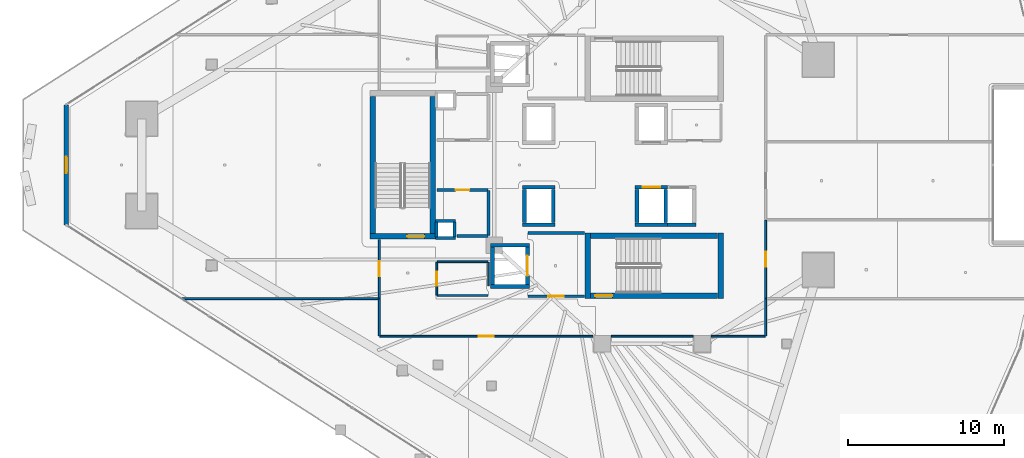
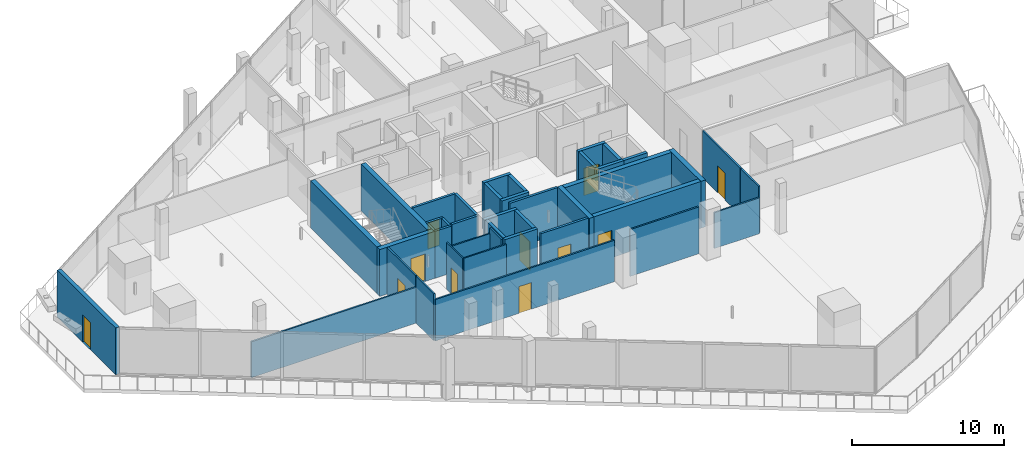
# One storey, part 27 of 42: 42 walls, 11 doors, 11 openings.
"""IFC4 building model written with IfcOpenShell, lengths in metres."""

from ifc_helpers import new_model, si_unit, direction, frame, frame_2d, origin, place, context, subcontext, project, spatial, rectangle, extrude, material, layer, layer_set, type_object, element, fill, save


model = new_model("IFC4")

# Units and contexts
model_context = context("Model", 3, precision=1e-05, world=origin(), true_north=direction((0.0, 1.0)))
body_context = subcontext(model_context, "Body", "Model", "MODEL_VIEW")
ifc_project = project(units=[si_unit("LENGTHUNIT", "METRE"), si_unit("AREAUNIT", "SQUARE_METRE"), si_unit("VOLUMEUNIT", "CUBIC_METRE"), si_unit("PLANEANGLEUNIT", "RADIAN"), si_unit("MASSUNIT", "GRAM", prefix="KILO")], contexts=[model_context])

# Site, building, storey
site_placement = place(None, origin())
site = spatial("IfcSite", under=ifc_project, at=site_placement, CompositionType="ELEMENT")
building_placement = place(site_placement, origin())
building = spatial("IfcBuilding", under=site, at=building_placement, Name="Qorvath Tower", CompositionType="ELEMENT")
storey_placement = place(building_placement, frame((0.0, 0.0, 121.949951171875)))
storey = spatial("IfcBuildingStorey", under=building, at=storey_placement, Name="L27", CompositionType="ELEMENT", Elevation=121.949951171875)

# Walls
ifc_material_1 = material(Name="Gypsum shaftliner on steel studs", Category="steel")
ifc_layer_1 = layer(ifc_material_1, 0.179931640625)
ifc_layer_set_1 = layer_set([ifc_layer_1], Name="FW-LOBBY")
wall_type_1 = type_object("IfcWallType", Name="FW-LOBBY", PredefinedType="PARTITIONING", material=ifc_layer_set_1)
for number, where, z_axis, x_axis, name in (
    (1, (-32.989990234375, -4.675048828125, 0.0), (0.0, 0.0, 1.0), (-1.0, 0.0, 0.0), "MEP Riser Shaft Enclosure Wall S-L27-S"),
    (2, (-34.260009765625, -3.594970703125, 0.0), (0.0, 0.0, 1.0), (1.0, 0.0, 0.0), "MEP Riser Shaft Enclosure Wall S-L27-N"),
):
    element("IfcWall", number, at=place(storey_placement, frame(where, z_axis=z_axis, x_axis=x_axis)), inside=storey, type_object=wall_type_1, Name=name, PredefinedType="PARTITIONING", context=body_context, shape_type="SweptSolid", body=[
        extrude(rectangle(XDim=1.27001953125, YDim=0.179931640625, at=frame_2d((0.635009765625, 0.0))), origin(), (0.0, 0.0, 1.0), 3.77001953125),
    ])
for number, where, z_axis, x_axis, name in (
    (3, (-34.205078125, -4.610107421875, 0.0), (0.0, 0.0, 1.0), (0.0, 1.0, 0.0), "MEP Riser Shaft Enclosure Wall S-L27-W"),
    (4, (-33.044921875, -3.659912109375, 0.0), (0.0, 0.0, 1.0), (0.0, -1.0, 0.0), "MEP Riser Shaft Enclosure Wall S-L27-E"),
):
    element("IfcWall", number, at=place(storey_placement, frame(where, z_axis=z_axis, x_axis=x_axis)), inside=storey, type_object=wall_type_1, Name=name, PredefinedType="PARTITIONING", context=body_context, shape_type="SweptSolid", body=[
        extrude(rectangle(XDim=0.9501953125, YDim=0.179931640625, at=frame_2d((0.47509765625, 0.0))), origin(), (0.0, 0.0, 1.0), 3.77001953125),
    ])

# Wall, opening, door
wall_1_placement = place(storey_placement, frame((-28.35498046875, -8.39990234375, 0.0), z_axis=(0.0, 0.0, 1.0), x_axis=(1.0, 0.0, 0.0)))
wall_1 = element("IfcWall", 5, at=wall_1_placement, inside=storey, type_object=wall_type_1, Name="Interior Partition IW-T1-L27-003", PredefinedType="PARTITIONING", context=body_context, shape_type="SweptSolid", body=[
    extrude(rectangle(XDim=3.6220703125, YDim=0.179931640625, at=frame_2d((1.81103515625, 0.0))), origin(), (0.0, 0.0, 1.0), 3.77001953125),
])
opening_1_placement = place(wall_1_placement, frame((1.31103515625, 0.0, 0.0)))
opening_1 = element("IfcOpeningElement", 6, at=opening_1_placement, cuts=wall_1, Name="Opening D-T1-L27-17", PredefinedType="OPENING", context=body_context, shape_type="SweptSolid", body=[
    extrude(rectangle(XDim=1.0, YDim=2.14990234375, at=frame_2d((0.5, 1.074951171875))), frame((0.0, 0.10009765625, 0.0), z_axis=(0.0, -1.0, 0.0), x_axis=(1.0, 0.0, 0.0)), (0.0, 0.0, 1.0), 0.199951171875),
])
ifc_material_2 = material(Name="Painted galvanised hollow metal", Category="steel")
door_type_1 = type_object("IfcDoorType", Name="FD-60", OperationType="NOTDEFINED", PredefinedType="DOOR", material=ifc_material_2)
door_1_placement = place(opening_1_placement, origin())
door_1 = element("IfcDoor", 7, at=door_1_placement, inside=storey, type_object=door_type_1, Name="Lobby Fire Service Elevator South Door D-T1-L27-17", OperationType="SINGLE_SWING_RIGHT", OverallHeight=2.14990234375, OverallWidth=1.0, PredefinedType="DOOR", context=body_context, shape_type="SweptSolid", body=[
    extrude(rectangle(XDim=1.0, YDim=2.14990234375, at=frame_2d((0.5, 1.074951171875))), frame((0.0, 0.02490234375, 0.0), z_axis=(0.0, -1.0, 0.0), x_axis=(1.0, 0.0, 0.0)), (0.0, 0.0, 1.0), 0.050048828125),
])
fill(opening_1, door_1)

# Walls
wall_2_placement = place(storey_placement, frame((-24.73291015625, -4.35009765625, 0.0), z_axis=(0.0, 0.0, 1.0), x_axis=(-1.0, 0.0, 0.0)))
element("IfcWall", 8, at=wall_2_placement, inside=storey, type_object=wall_type_1, Name="Interior Partition IW-T1-L27-004", PredefinedType="PARTITIONING", context=body_context, shape_type="SweptSolid", body=[
    extrude(rectangle(XDim=3.6220703125, YDim=0.179931640625, at=frame_2d((1.81103515625, 0.0))), origin(), (0.0, 0.0, 1.0), 3.77001953125),
])
wall_3_placement = place(storey_placement, frame((-32.8798828125, -4.5400390625, 0.0), z_axis=(0.0, 0.0, 1.0), x_axis=(1.0, 0.0, 0.0)))
element("IfcWall", 9, at=wall_3_placement, inside=storey, type_object=wall_type_1, Name="Interior Partition IW-T1-L27-018", PredefinedType="PARTITIONING", context=body_context, shape_type="SweptSolid", body=[
    extrude(rectangle(XDim=1.97509765625, YDim=0.179931640625, at=frame_2d((0.987548828125, 0.0))), origin(), (0.0, 0.0, 1.0), 3.77001953125),
])
wall_4_placement = place(storey_placement, frame((-30.8798828125, -4.514892578125, 0.0), z_axis=(0.0, 0.0, 1.0), x_axis=(0.0, 1.0, 0.0)))
element("IfcWall", 10, at=wall_4_placement, inside=storey, type_object=wall_type_1, Name="Interior Partition IW-T1-L27-019", PredefinedType="PARTITIONING", context=body_context, shape_type="SweptSolid", body=[
    extrude(rectangle(XDim=2.889892578125, YDim=0.179931640625, at=frame_2d((1.44482421875, 0.0))), origin(), (0.0, 0.0, 1.0), 3.77001953125),
])

# Wall, opening, door
wall_5_placement = place(storey_placement, frame((-30.90478515625, -1.60009765625, 0.0), z_axis=(0.0, 0.0, 1.0), x_axis=(-1.0, 0.0, 0.0)))
wall_5 = element("IfcWall", 11, at=wall_5_placement, inside=storey, type_object=wall_type_1, Name="Interior Partition IW-T1-L27-020", PredefinedType="PARTITIONING", context=body_context, shape_type="SweptSolid", body=[
    extrude(rectangle(XDim=3.25, YDim=0.179931640625, at=frame_2d((1.625, 0.0))), origin(), (0.0, 0.0, 1.0), 3.77001953125),
])
opening_2_placement = place(wall_5_placement, frame((1.18505859375, 0.0, 0.0)))
opening_2 = element("IfcOpeningElement", 12, at=opening_2_placement, cuts=wall_5, Name="Opening D-T1-L27-05", PredefinedType="OPENING", context=body_context, shape_type="SweptSolid", body=[
    extrude(rectangle(XDim=0.8798828125, YDim=2.10009765625, at=frame_2d((0.43994140625, 1.050048828125))), frame((0.0, 0.10009765625, 0.0), z_axis=(0.0, -1.0, 0.0), x_axis=(1.0, 0.0, 0.0)), (0.0, 0.0, 1.0), 0.199951171875),
])
ifc_material_3 = material(Name="Painted galvanised hollow metal", Category="steel")
door_type_2 = type_object("IfcDoorType", Name="FD-60N", OperationType="NOTDEFINED", PredefinedType="DOOR", material=ifc_material_3)
door_2_placement = place(opening_2_placement, origin())
door_2 = element("IfcDoor", 13, at=door_2_placement, inside=storey, type_object=door_type_2, Name="Core housekeeping store L27 Door D-T1-L27-05", OperationType="SINGLE_SWING_RIGHT", OverallHeight=2.10009765625, OverallWidth=0.8798828125, PredefinedType="DOOR", context=body_context, shape_type="SweptSolid", body=[
    extrude(rectangle(XDim=0.8798828125, YDim=2.10009765625, at=frame_2d((0.43994140625, 1.050048828125))), frame((0.0, 0.02490234375, 0.0), z_axis=(0.0, -1.0, 0.0), x_axis=(1.0, 0.0, 0.0)), (0.0, 0.0, 1.0), 0.050048828125),
])
fill(opening_2, door_2)

# Walls
ifc_material_4 = material(Name="Gypsum board on metal studs with mineral wool", Category="gypsum")
ifc_layer_2 = layer(ifc_material_4, 0.125)
ifc_layer_set_2 = layer_set([ifc_layer_2], Name="IW-PART-125")
wall_type_2 = type_object("IfcWallType", Name="IW-PART-125", PredefinedType="PARTITIONING", material=ifc_layer_set_2)
wall_6_placement = place(storey_placement, frame((-13.14208984375, -10.93310546875, 0.0), z_axis=(0.0, 0.0, 1.0), x_axis=(0.0, 1.0, 0.0)))
element("IfcWall", 14, at=wall_6_placement, inside=storey, type_object=wall_type_2, Name="Interior Partition IW-T1-L27-037", PredefinedType="PARTITIONING", context=body_context, shape_type="SweptSolid", body=[
    extrude(rectangle(XDim=2.358154296875, YDim=0.125, at=frame_2d((1.17919921875, 0.0))), origin(), (0.0, 0.0, 1.0), 3.77001953125),
])
wall_7_placement = place(storey_placement, frame((-13.1669921875, -10.9580078125, 0.0), z_axis=(0.0, 0.0, 1.0), x_axis=(-1.0, 0.0, 0.0)))
element("IfcWall", 15, at=wall_7_placement, inside=storey, type_object=wall_type_2, Name="Interior Partition IW-T1-L27-038", PredefinedType="PARTITIONING", context=body_context, shape_type="SweptSolid", body=[
    extrude(rectangle(XDim=3.443115234375, YDim=0.125, at=frame_2d((1.7216796875, 0.0))), origin(), (0.0, 0.0, 1.0), 2.885009765625),
])
wall_8_placement = place(storey_placement, frame((-17.7900390625, -10.9580078125, 0.0), z_axis=(0.0, 0.0, 1.0), x_axis=(-1.0, 0.0, 0.0)))
element("IfcWall", 16, at=wall_8_placement, inside=storey, type_object=wall_type_2, Name="Interior Partition IW-T1-L27-039", PredefinedType="PARTITIONING", context=body_context, shape_type="SweptSolid", body=[
    extrude(rectangle(XDim=5.219970703125, YDim=0.125, at=frame_2d((2.60986328125, 0.0))), origin(), (0.0, 0.0, 1.0), 3.77001953125),
])

# Wall, opening, door
wall_9_placement = place(storey_placement, frame((-24.18994140625, -10.9580078125, 0.0), z_axis=(0.0, 0.0, 1.0), x_axis=(-1.0, 0.0, 0.0)))
wall_9 = element("IfcWall", 17, at=wall_9_placement, inside=storey, type_object=wall_type_2, Name="Interior Partition IW-T1-L27-040", PredefinedType="PARTITIONING", context=body_context, shape_type="SweptSolid", body=[
    extrude(rectangle(XDim=13.64306640625, YDim=0.125, at=frame_2d((6.821533203125, 0.0))), origin(), (0.0, 0.0, 1.0), 3.334228515625),
])
opening_3_placement = place(wall_9_placement, frame((6.346435546875, 0.0, 0.0)))
opening_3 = element("IfcOpeningElement", 18, at=opening_3_placement, cuts=wall_9, Name="Opening D-T1-L27-11", PredefinedType="OPENING", context=body_context, shape_type="SweptSolid", body=[
    extrude(rectangle(XDim=0.949951171875, YDim=2.14990234375, at=frame_2d((0.47509765625, 1.074951171875))), frame((0.0, 0.072509765625, 0.0), z_axis=(0.0, -1.0, 0.0), x_axis=(1.0, 0.0, 0.0)), (0.0, 0.0, 1.0), 0.14501953125),
])
ifc_material_5 = material(Name="Solid-core American white oak veneer", Category="wood")
door_type_3 = type_object("IfcDoorType", Name="D-01", OperationType="NOTDEFINED", PredefinedType="DOOR", material=ifc_material_5)
door_3_placement = place(opening_3_placement, origin())
door_3 = element("IfcDoor", 19, at=door_3_placement, inside=storey, type_object=door_type_3, Name="L27-06 Design Pin-Up Atelier Door D-T1-L27-11", OperationType="SINGLE_SWING_RIGHT", OverallHeight=2.14990234375, OverallWidth=0.949951171875, PredefinedType="DOOR", context=body_context, shape_type="SweptSolid", body=[
    extrude(rectangle(XDim=0.949951171875, YDim=2.14990234375, at=frame_2d((0.47509765625, 1.074951171875))), frame((0.0, 0.02490234375, 0.0), z_axis=(0.0, -1.0, 0.0), x_axis=(1.0, 0.0, 0.0)), (0.0, 0.0, 1.0), 0.050048828125),
])
fill(opening_3, door_3)

# Walls
wall_10_placement = place(storey_placement, frame((-37.85791015625, -8.574951171875, 0.0), z_axis=(0.0, 0.0, 1.0), x_axis=(0.0, -1.0, 0.0)))
element("IfcWall", 20, at=wall_10_placement, inside=storey, type_object=wall_type_2, Name="Interior Partition IW-T1-L27-041", PredefinedType="PARTITIONING", context=body_context, shape_type="SweptSolid", body=[
    extrude(rectangle(XDim=2.358154296875, YDim=0.125, at=frame_2d((1.17919921875, 0.0))), origin(), (0.0, 0.0, 1.0), 3.77001953125),
])
wall_11_placement = place(storey_placement, frame((-37.8828125, -8.550048828125, 0.0), z_axis=(0.0, 0.0, 1.0), x_axis=(-1.0, 0.0, 0.0)))
element("IfcWall", 21, at=wall_11_placement, inside=storey, type_object=wall_type_2, Name="Interior Partition IW-T1-L27-042", PredefinedType="PARTITIONING", context=body_context, shape_type="SweptSolid", body=[
    extrude(rectangle(XDim=12.570556640625, YDim=0.125, at=frame_2d((6.28515625, 0.0))), origin(), (0.0, 0.0, 1.0), 2.889892578125),
])

# Wall, opening, door
wall_12_placement = place(storey_placement, frame((-13.14208984375, -3.53564453125, 0.0), z_axis=(0.0, 0.0, 1.0), x_axis=(0.0, -1.0, 0.0)))
wall_12 = element("IfcWall", 22, at=wall_12_placement, inside=storey, type_object=wall_type_2, Name="Interior Partition IW-T1-L27-044", PredefinedType="PARTITIONING", context=body_context, shape_type="SweptSolid", body=[
    extrude(rectangle(XDim=4.9814453125, YDim=0.125, at=frame_2d((2.49072265625, 0.0))), origin(), (0.0, 0.0, 1.0), 3.77001953125),
])
opening_4_placement = place(wall_12_placement, frame((2.015869140625, 0.0, 0.0)))
opening_4 = element("IfcOpeningElement", 23, at=opening_4_placement, cuts=wall_12, Name="Opening D-T1-L27-12", PredefinedType="OPENING", context=body_context, shape_type="SweptSolid", body=[
    extrude(rectangle(XDim=0.949951171875, YDim=2.14990234375, at=frame_2d((0.47509765625, 1.074951171875))), frame((0.0, 0.072509765625, 0.0), z_axis=(0.0, -1.0, 0.0), x_axis=(1.0, 0.0, 0.0)), (0.0, 0.0, 1.0), 0.14501953125),
])
door_4_placement = place(opening_4_placement, origin())
door_4 = element("IfcDoor", 24, at=door_4_placement, inside=storey, type_object=door_type_3, Name="L27-07 Executive Partner Office Door D-T1-L27-12", OperationType="SINGLE_SWING_LEFT", OverallHeight=2.14990234375, OverallWidth=0.949951171875, PredefinedType="DOOR", context=body_context, shape_type="SweptSolid", body=[
    extrude(rectangle(XDim=0.949951171875, YDim=2.14990234375, at=frame_2d((0.47509765625, 1.074951171875))), frame((0.0, 0.02490234375, 0.0), z_axis=(0.0, -1.0, 0.0), x_axis=(1.0, 0.0, 0.0)), (0.0, 0.0, 1.0), 0.050048828125),
])
fill(opening_4, door_4)

wall_13_placement = place(storey_placement, frame((-37.85791015625, -8.51708984375, 0.0), z_axis=(0.0, 0.0, 1.0), x_axis=(0.0, 1.0, 0.0)))
wall_13 = element("IfcWall", 25, at=wall_13_placement, inside=storey, type_object=wall_type_2, Name="Interior Partition IW-T1-L27-049", PredefinedType="PARTITIONING", context=body_context, shape_type="SweptSolid", body=[
    extrude(rectangle(XDim=3.73388671875, YDim=0.125, at=frame_2d((1.866943359375, 0.0))), origin(), (0.0, 0.0, 1.0), 3.77001953125),
])
opening_5_placement = place(wall_13_placement, frame((1.391845703125, 0.0, 0.0)))
opening_5 = element("IfcOpeningElement", 26, at=opening_5_placement, cuts=wall_13, Name="Opening D-T1-L27-15", PredefinedType="OPENING", context=body_context, shape_type="SweptSolid", body=[
    extrude(rectangle(XDim=0.949951171875, YDim=2.14990234375, at=frame_2d((0.47509765625, 1.074951171875))), frame((0.0, 0.072509765625, 0.0), z_axis=(0.0, -1.0, 0.0), x_axis=(1.0, 0.0, 0.0)), (0.0, 0.0, 1.0), 0.14501953125),
])
door_5_placement = place(opening_5_placement, origin())
door_5 = element("IfcDoor", 27, at=door_5_placement, inside=storey, type_object=door_type_3, Name="L27-10 Quantitative Research Studio Door D-T1-L27-15", OperationType="SINGLE_SWING_RIGHT", OverallHeight=2.14990234375, OverallWidth=0.949951171875, PredefinedType="DOOR", context=body_context, shape_type="SweptSolid", body=[
    extrude(rectangle(XDim=0.949951171875, YDim=2.14990234375, at=frame_2d((0.47509765625, 1.074951171875))), frame((0.0, 0.02490234375, 0.0), z_axis=(0.0, -1.0, 0.0), x_axis=(1.0, 0.0, 0.0)), (0.0, 0.0, 1.0), 0.050048828125),
])
fill(opening_5, door_5)

ifc_material_6 = material(Name="Moisture-resistant cement board on metal studs", Category="gypsum")
ifc_layer_3 = layer(ifc_material_6, 0.110107421875)
ifc_layer_set_3 = layer_set([ifc_layer_3], Name="IW-WC-110")
wall_type_3 = type_object("IfcWallType", Name="IW-WC-110", PredefinedType="PARTITIONING", material=ifc_layer_set_3)
wall_14_placement = place(storey_placement, frame((-34.179931640625, -6.22509765625, 0.0), z_axis=(0.0, 0.0, 1.0), x_axis=(0.0, -1.0, 0.0)))
wall_14 = element("IfcWall", 28, at=wall_14_placement, inside=storey, type_object=wall_type_3, Name="Interior Partition IW-T1-L27-009", PredefinedType="PARTITIONING", context=body_context, shape_type="SweptSolid", body=[
    extrude(rectangle(XDim=2.10009765625, YDim=0.110107421875, at=frame_2d((1.050048828125, 0.0))), origin(), (0.0, 0.0, 1.0), 3.77001953125),
])
opening_6_placement = place(wall_14_placement, frame((0.610107421875, 0.0, 0.0)))
opening_6 = element("IfcOpeningElement", 29, at=opening_6_placement, cuts=wall_14, Name="Opening D-T1-L27-02", PredefinedType="OPENING", context=body_context, shape_type="SweptSolid", body=[
    extrude(rectangle(XDim=0.8798828125, YDim=2.10009765625, at=frame_2d((0.43994140625, 1.050048828125))), frame((0.0, 0.06494140625, 0.0), z_axis=(0.0, -1.0, 0.0), x_axis=(1.0, 0.0, 0.0)), (0.0, 0.0, 1.0), 0.130126953125),
])
ifc_material_7 = material(Name="Solid-core oak with acoustic drop seal", Category="wood")
door_type_4 = type_object("IfcDoorType", Name="D-02", OperationType="NOTDEFINED", PredefinedType="DOOR", material=ifc_material_7)
door_6_placement = place(opening_6_placement, origin())
door_6 = element("IfcDoor", 30, at=door_6_placement, inside=storey, type_object=door_type_4, Name="Accessible WC South L27 Door D-T1-L27-02", OperationType="SINGLE_SWING_LEFT", OverallHeight=2.10009765625, OverallWidth=0.8798828125, PredefinedType="DOOR", context=body_context, shape_type="SweptSolid", body=[
    extrude(rectangle(XDim=0.8798828125, YDim=2.10009765625, at=frame_2d((0.43994140625, 1.050048828125))), frame((0.0, 0.02490234375, 0.0), z_axis=(0.0, -1.0, 0.0), x_axis=(1.0, 0.0, 0.0)), (0.0, 0.0, 1.0), 0.050048828125),
])
fill(opening_6, door_6)

# Walls
wall_15_placement = place(storey_placement, frame((-34.15478515625, -8.35009765625, 0.0), z_axis=(0.0, 0.0, 1.0), x_axis=(1.0, 0.0, 0.0)))
element("IfcWall", 31, at=wall_15_placement, inside=storey, type_object=wall_type_3, Name="Interior Partition IW-T1-L27-010", PredefinedType="PARTITIONING", context=body_context, shape_type="SweptSolid", body=[
    extrude(rectangle(XDim=3.25, YDim=0.110107421875, at=frame_2d((1.625, 0.0))), origin(), (0.0, 0.0, 1.0), 3.77001953125),
])
wall_16_placement = place(storey_placement, frame((-30.8798828125, -7.742919921875, 0.0), z_axis=(0.0, 0.0, 1.0), x_axis=(0.0, 1.0, 0.0)))
element("IfcWall", 32, at=wall_16_placement, inside=storey, type_object=wall_type_3, Name="Interior Partition IW-T1-L27-011", PredefinedType="PARTITIONING", context=body_context, shape_type="SweptSolid", body=[
    extrude(rectangle(XDim=1.517822265625, YDim=0.110107421875, at=frame_2d((0.7587890625, 0.0))), origin(), (0.0, 0.0, 1.0), 3.77001953125),
])
wall_17_placement = place(storey_placement, frame((-30.90478515625, -6.199951171875, 0.0), z_axis=(0.0, 0.0, 1.0), x_axis=(-1.0, 0.0, 0.0)))
element("IfcWall", 33, at=wall_17_placement, inside=storey, type_object=wall_type_3, Name="Interior Partition IW-T1-L27-012", PredefinedType="PARTITIONING", context=body_context, shape_type="SweptSolid", body=[
    extrude(rectangle(XDim=3.25, YDim=0.110107421875, at=frame_2d((1.625, 0.0))), origin(), (0.0, 0.0, 1.0), 3.334228515625),
])
ifc_material_8 = material(Name="Concrete C60/75", Category="concrete")
ifc_layer_4 = layer(ifc_material_8, 0.260009765625)
ifc_layer_set_4 = layer_set([ifc_layer_4], Name="SW-SHAFT")
wall_type_4 = type_object("IfcWallType", Name="SW-SHAFT", PredefinedType="SHEAR", material=ifc_layer_set_4)
for number, where, z_axis, x_axis, name in (
    (34, (-28.260009765625, -7.77001953125, 0.0), (0.0, 0.0, 1.0), (-1.0, 0.0, 0.0), "Hoistway Wall FSAE-2 L27 S"),
    (35, (-30.739990234375, -5.1298828125, 0.0), (0.0, 0.0, 1.0), (1.0, 0.0, 0.0), "Hoistway Wall FSAE-2 L27 N"),
):
    element("IfcWall", number, at=place(storey_placement, frame(where, z_axis=z_axis, x_axis=x_axis)), inside=storey, type_object=wall_type_4, Name=name, PredefinedType="SHEAR", context=body_context, shape_type="SweptSolid", body=[
        extrude(rectangle(XDim=2.47998046875, YDim=0.239990234375, at=frame_2d((1.239990234375, 0.0))), origin(), (0.0, 0.0, 1.0), 3.77001953125),
    ])
wall_18_placement = place(storey_placement, frame((-30.6201171875, -7.637939453125, 0.0), z_axis=(0.0, 0.0, 1.0), x_axis=(0.0, 1.0, 0.0)))
element("IfcWall", 36, at=wall_18_placement, inside=storey, type_object=wall_type_4, Name="Hoistway Wall FSAE-2 L27 W", PredefinedType="SHEAR", context=body_context, shape_type="SweptSolid", body=[
    extrude(rectangle(XDim=2.3759765625, YDim=0.239990234375, at=frame_2d((1.18798828125, 0.0))), origin(), (0.0, 0.0, 1.0), 3.77001953125),
])

# Wall, opening, door
wall_19_placement = place(storey_placement, frame((-28.3798828125, -5.261962890625, 0.0), z_axis=(0.0, 0.0, 1.0), x_axis=(0.0, -1.0, 0.0)))
wall_19 = element("IfcWall", 37, at=wall_19_placement, inside=storey, type_object=wall_type_4, Name="Hoistway Wall FSAE-2 L27 E", PredefinedType="SHEAR", context=body_context, shape_type="SweptSolid", body=[
    extrude(rectangle(XDim=2.3759765625, YDim=0.239990234375, at=frame_2d((1.18798828125, 0.0))), origin(), (0.0, 0.0, 1.0), 3.77001953125),
])
opening_7_placement = place(wall_19_placement, frame((0.5380859375, 0.0, 0.0)))
opening_7 = element("IfcOpeningElement", 38, at=opening_7_placement, cuts=wall_19, Name="Opening LD-FSAE-2-L27", PredefinedType="OPENING", context=body_context, shape_type="SweptSolid", body=[
    extrude(rectangle(XDim=1.300048828125, YDim=2.300048828125, at=frame_2d((0.64990234375, 1.14990234375))), frame((0.0, 0.1298828125, 0.0), z_axis=(0.0, -1.0, 0.0), x_axis=(1.0, 0.0, 0.0)), (0.0, 0.0, 1.0), 0.260009765625),
])
ifc_material_9 = material(Name="Brushed stainless steel AISI 316", Category="steel")
door_type_5 = type_object("IfcDoorType", Name="LD-02", OperationType="NOTDEFINED", PredefinedType="DOOR", material=ifc_material_9)
door_7_placement = place(opening_7_placement, origin())
door_7 = element("IfcDoor", 39, at=door_7_placement, inside=storey, type_object=door_type_5, Name="Elevator Landing Sliding Door LD-FSAE-2-L27", OperationType="DOUBLE_DOOR_SLIDING", OverallHeight=2.300048828125, OverallWidth=1.300048828125, PredefinedType="DOOR", context=body_context, shape_type="SweptSolid", body=[
    extrude(rectangle(XDim=1.300048828125, YDim=2.300048828125, at=frame_2d((0.64990234375, 1.14990234375))), frame((0.0, 0.02490234375, 0.0), z_axis=(0.0, -1.0, 0.0), x_axis=(1.0, 0.0, 0.0)), (0.0, 0.0, 1.0), 0.050048828125),
])
fill(opening_7, door_7)

# Walls
for number, where, z_axis, x_axis, name in (
    (40, (-26.610107421875, -3.820068359375, 0.0), (0.0, 0.0, 1.0), (-1.0, 0.0, 0.0), "Hoistway Wall PS-2 L27 S"),
    (41, (-28.68994140625, -1.429931640625, 0.0), (0.0, 0.0, 1.0), (1.0, 0.0, 0.0), "Hoistway Wall PS-2 L27 N"),
):
    element("IfcWall", number, at=place(storey_placement, frame(where, z_axis=z_axis, x_axis=x_axis)), inside=storey, type_object=wall_type_4, Name=name, PredefinedType="SHEAR", context=body_context, shape_type="SweptSolid", body=[
        extrude(rectangle(XDim=2.079833984375, YDim=0.239990234375, at=frame_2d((1.0400390625, 0.0))), origin(), (0.0, 0.0, 1.0), 3.77001953125),
    ])
for number, where, z_axis, x_axis, name in (
    (42, (-28.570068359375, -3.68798828125, 0.0), (0.0, 0.0, 1.0), (0.0, 1.0, 0.0), "Hoistway Wall PS-2 L27 W"),
    (43, (-26.72998046875, -1.56201171875, 0.0), (0.0, 0.0, 1.0), (0.0, -1.0, 0.0), "Hoistway Wall PS-2 L27 E"),
):
    element("IfcWall", number, at=place(storey_placement, frame(where, z_axis=z_axis, x_axis=x_axis)), inside=storey, type_object=wall_type_4, Name=name, PredefinedType="SHEAR", context=body_context, shape_type="SweptSolid", body=[
        extrude(rectangle(XDim=2.1259765625, YDim=0.239990234375, at=frame_2d((1.06298828125, 0.0))), origin(), (0.0, 0.0, 1.0), 3.77001953125),
    ])
wall_20_placement = place(storey_placement, frame((-19.409912109375, -3.820068359375, 0.0), z_axis=(0.0, 0.0, 1.0), x_axis=(-1.0, 0.0, 0.0)))
element("IfcWall", 44, at=wall_20_placement, inside=storey, type_object=wall_type_4, Name="Hoistway Wall PM-2 L27 S", PredefinedType="SHEAR", context=body_context, shape_type="SweptSolid", body=[
    extrude(rectangle(XDim=2.080078125, YDim=0.239990234375, at=frame_2d((1.0400390625, 0.0))), origin(), (0.0, 0.0, 1.0), 3.77001953125),
])

# Wall, opening, door
wall_21_placement = place(storey_placement, frame((-21.489990234375, -1.429931640625, 0.0), z_axis=(0.0, 0.0, 1.0), x_axis=(1.0, 0.0, 0.0)))
wall_21 = element("IfcWall", 45, at=wall_21_placement, inside=storey, type_object=wall_type_4, Name="Hoistway Wall PM-2 L27 N", PredefinedType="SHEAR", context=body_context, shape_type="SweptSolid", body=[
    extrude(rectangle(XDim=2.080078125, YDim=0.239990234375, at=frame_2d((1.0400390625, 0.0))), origin(), (0.0, 0.0, 1.0), 3.77001953125),
])
opening_8_placement = place(wall_21_placement, frame((0.489990234375, 0.0, 0.0)))
opening_8 = element("IfcOpeningElement", 46, at=opening_8_placement, cuts=wall_21, Name="Opening LD-PM-2-L27", PredefinedType="OPENING", context=body_context, shape_type="SweptSolid", body=[
    extrude(rectangle(XDim=1.10009765625, YDim=2.199951171875, at=frame_2d((0.550048828125, 1.10009765625))), frame((0.0, 0.1298828125, 0.0), z_axis=(0.0, -1.0, 0.0), x_axis=(1.0, 0.0, 0.0)), (0.0, 0.0, 1.0), 0.260009765625),
])
ifc_material_10 = material(Name="Brushed stainless steel AISI 316", Category="steel")
door_type_6 = type_object("IfcDoorType", Name="LD-01", OperationType="NOTDEFINED", PredefinedType="DOOR", material=ifc_material_10)
door_8_placement = place(opening_8_placement, origin())
door_8 = element("IfcDoor", 47, at=door_8_placement, inside=storey, type_object=door_type_6, Name="Elevator Landing Sliding Door LD-PM-2-L27", OperationType="DOUBLE_DOOR_SLIDING", OverallHeight=2.199951171875, OverallWidth=1.10009765625, PredefinedType="DOOR", context=body_context, shape_type="SweptSolid", body=[
    extrude(rectangle(XDim=1.10009765625, YDim=2.199951171875, at=frame_2d((0.550048828125, 1.10009765625))), frame((0.0, 0.02490234375, 0.0), z_axis=(0.0, -1.0, 0.0), x_axis=(1.0, 0.0, 0.0)), (0.0, 0.0, 1.0), 0.050048828125),
])
fill(opening_8, door_8)

# Walls
for number, where, z_axis, x_axis, name in (
    (48, (-21.3701171875, -3.68798828125, 0.0), (0.0, 0.0, 1.0), (0.0, 1.0, 0.0), "Hoistway Wall PM-2 L27 W"),
    (49, (-19.530029296875, -1.56201171875, 0.0), (0.0, 0.0, 1.0), (0.0, -1.0, 0.0), "Hoistway Wall PM-2 L27 E"),
):
    element("IfcWall", number, at=place(storey_placement, frame(where, z_axis=z_axis, x_axis=x_axis)), inside=storey, type_object=wall_type_4, Name=name, PredefinedType="SHEAR", context=body_context, shape_type="SweptSolid", body=[
        extrude(rectangle(XDim=2.1259765625, YDim=0.239990234375, at=frame_2d((1.06298828125, 0.0))), origin(), (0.0, 0.0, 1.0), 3.77001953125),
    ])
wall_22_placement = place(storey_placement, frame((-17.610107421875, -3.820068359375, 0.0), z_axis=(0.0, 0.0, 1.0), x_axis=(-1.0, 0.0, 0.0)))
element("IfcWall", 50, at=wall_22_placement, inside=storey, type_object=wall_type_4, Name="Hoistway Wall PM-3 L27 S", PredefinedType="SHEAR", context=body_context, shape_type="SweptSolid", body=[
    extrude(rectangle(XDim=1.7998046875, YDim=0.239990234375, at=frame_2d((0.89990234375, 0.0))), origin(), (0.0, 0.0, 1.0), 3.77001953125),
])
ifc_material_11 = material(Name="Concrete C60/75", Category="concrete")
ifc_layer_5 = layer(ifc_material_11, 0.35009765625)
ifc_layer_set_5 = layer_set([ifc_layer_5], Name="SW-STAIR")
wall_type_5 = type_object("IfcWallType", Name="SW-STAIR", PredefinedType="SHEAR", material=ifc_layer_set_5)
for number, where, z_axis, x_axis, name in (
    (51, (-24.52490234375, -4.340087890625, 0.0), (0.0, 0.0, 1.0), (0.0, -1.0, 0.0), "Stair TS2 Shear Wall L27 NEAR"),
    (52, (-16.02490234375, -8.550048828125, 0.0), (0.0, 0.0, 1.0), (0.0, 1.0, 0.0), "Stair TS2 Shear Wall L27 FAR"),
):
    element("IfcWall", number, at=place(storey_placement, frame(where, z_axis=z_axis, x_axis=x_axis)), inside=storey, type_object=wall_type_5, Name=name, PredefinedType="SHEAR", context=body_context, shape_type="SweptSolid", body=[
        extrude(rectangle(XDim=4.2099609375, YDim=0.35009765625, at=frame_2d((2.10498046875, 0.0))), origin(), (0.0, 0.0, 1.0), 3.77001953125),
    ])

# Wall, opening, door
wall_23_placement = place(storey_placement, frame((-24.3349609375, -8.375, 0.0), z_axis=(0.0, 0.0, 1.0), x_axis=(1.0, 0.0, 0.0)))
wall_23 = element("IfcWall", 53, at=wall_23_placement, inside=storey, type_object=wall_type_5, Name="Stair TS2 Shear Wall L27 LEFT", PredefinedType="SHEAR", context=body_context, shape_type="SweptSolid", body=[
    extrude(rectangle(XDim=8.119873046875, YDim=0.35009765625, at=frame_2d((4.06005859375, 0.0))), origin(), (0.0, 0.0, 1.0), 3.77001953125),
])
opening_9_placement = place(wall_23_placement, frame((0.280029296875, 0.0, 0.0)))
opening_9 = element("IfcOpeningElement", 54, at=opening_9_placement, cuts=wall_23, Name="Opening D-TS2-L27", PredefinedType="OPENING", context=body_context, shape_type="SweptSolid", body=[
    extrude(rectangle(XDim=1.10009765625, YDim=2.199951171875, at=frame_2d((0.550048828125, 1.10009765625))), frame((0.0, 0.18505859375, 0.0), z_axis=(0.0, -1.0, 0.0), x_axis=(1.0, 0.0, 0.0)), (0.0, 0.0, 1.0), 0.3701171875),
])
ifc_material_12 = material(Name="Painted galvanised hollow metal", Category="steel")
door_type_7 = type_object("IfcDoorType", Name="FD-90", OperationType="NOTDEFINED", PredefinedType="DOOR", material=ifc_material_12)
door_9_placement = place(opening_9_placement, origin())
door_9 = element("IfcDoor", 55, at=door_9_placement, inside=storey, type_object=door_type_7, Name="Stair TS2 Fire Door L27", OperationType="SINGLE_SWING_RIGHT", OverallHeight=2.199951171875, OverallWidth=1.10009765625, PredefinedType="DOOR", context=body_context, shape_type="SweptSolid", body=[
    extrude(rectangle(XDim=1.10009765625, YDim=2.199951171875, at=frame_2d((0.550048828125, 1.10009765625))), frame((0.0, 0.02490234375, 0.0), z_axis=(0.0, -1.0, 0.0), x_axis=(1.0, 0.0, 0.0)), (0.0, 0.0, 1.0), 0.050048828125),
])
fill(opening_9, door_9)

# Wall
wall_24_placement = place(storey_placement, frame((-16.215087890625, -4.514892578125, 0.0), z_axis=(0.0, 0.0, 1.0), x_axis=(-1.0, 0.0, 0.0)))
element("IfcWall", 56, at=wall_24_placement, inside=storey, type_object=wall_type_5, Name="Stair TS2 Shear Wall L27 RIGHT", PredefinedType="SHEAR", context=body_context, shape_type="SweptSolid", body=[
    extrude(rectangle(XDim=8.119873046875, YDim=0.35009765625, at=frame_2d((4.06005859375, 0.0))), origin(), (0.0, 0.0, 1.0), 3.77001953125),
])

# Wall, opening, door
wall_25_placement = place(storey_placement, frame((-38.4599609375, -4.574951171875, 0.0), z_axis=(0.0, 0.0, 1.0), x_axis=(1.0, 0.0, 0.0)))
wall_25 = element("IfcWall", 57, at=wall_25_placement, inside=storey, type_object=wall_type_5, Name="Stair TS3 Shear Wall L27 NEAR", PredefinedType="SHEAR", context=body_context, shape_type="SweptSolid", body=[
    extrude(rectangle(XDim=4.2099609375, YDim=0.35009765625, at=frame_2d((2.10498046875, 0.0))), origin(), (0.0, 0.0, 1.0), 3.77001953125),
])
opening_10_placement = place(wall_25_placement, frame((2.389892578125, 0.0, 0.0)))
opening_10 = element("IfcOpeningElement", 58, at=opening_10_placement, cuts=wall_25, Name="Opening D-TS3-L27", PredefinedType="OPENING", context=body_context, shape_type="SweptSolid", body=[
    extrude(rectangle(XDim=1.10009765625, YDim=2.199951171875, at=frame_2d((0.550048828125, 1.10009765625))), frame((0.0, 0.18505859375, 0.0), z_axis=(0.0, -1.0, 0.0), x_axis=(1.0, 0.0, 0.0)), (0.0, 0.0, 1.0), 0.3701171875),
])
door_10_placement = place(opening_10_placement, origin())
door_10 = element("IfcDoor", 59, at=door_10_placement, inside=storey, type_object=door_type_7, Name="Stair TS3 Fire Door L27", OperationType="SINGLE_SWING_RIGHT", OverallHeight=2.199951171875, OverallWidth=1.10009765625, PredefinedType="DOOR", context=body_context, shape_type="SweptSolid", body=[
    extrude(rectangle(XDim=1.10009765625, YDim=2.199951171875, at=frame_2d((0.550048828125, 1.10009765625))), frame((0.0, 0.02490234375, 0.0), z_axis=(0.0, -1.0, 0.0), x_axis=(1.0, 0.0, 0.0)), (0.0, 0.0, 1.0), 0.050048828125),
])
fill(opening_10, door_10)

# Walls
for number, where, z_axis, x_axis, name in (
    (60, (-34.425048828125, -4.385009765625, 0.0), (0.0, 0.0, 1.0), (0.0, 1.0, 0.0), "Stair TS3 Shear Wall L27 LEFT"),
    (61, (-38.284912109375, 4.385009765625, 0.0), (0.0, 0.0, 1.0), (0.0, -1.0, 0.0), "Stair TS3 Shear Wall L27 RIGHT"),
):
    element("IfcWall", number, at=place(storey_placement, frame(where, z_axis=z_axis, x_axis=x_axis)), inside=storey, type_object=wall_type_5, Name=name, PredefinedType="SHEAR", context=body_context, shape_type="SweptSolid", body=[
        extrude(rectangle(XDim=8.77001953125, YDim=0.35009765625, at=frame_2d((4.385009765625, 0.0))), origin(), (0.0, 0.0, 1.0), 3.77001953125),
    ])

# Wall, opening, door
ifc_material_13 = material(Name="Precast concrete C45/55", Category="concrete")
ifc_layer_6 = layer(ifc_material_13, 0.300048828125)
ifc_layer_set_6 = layer_set([ifc_layer_6], Name="WL-EW-LOG-300")
wall_type_6 = type_object("IfcWallType", Name="WL-EW-LOG-300", PredefinedType="SOLIDWALL", material=ifc_layer_set_6)
wall_26_placement = place(storey_placement, frame((-57.88916015625, -3.8486328125, 0.0), z_axis=(0.0, 0.0, 1.0), x_axis=(0.0, 1.0, 0.0)))
wall_26 = element("IfcWall", 62, at=wall_26_placement, inside=storey, type_object=wall_type_6, Name="Tower Precast Loggia Wall L27-1.1", PredefinedType="SOLIDWALL", context=body_context, shape_type="SweptSolid", body=[
    extrude(rectangle(XDim=7.697265625, YDim=0.300048828125, at=frame_2d((3.8486328125, 0.0))), origin(), (0.0, 0.0, 1.0), 3.77001953125),
])
opening_11_placement = place(wall_26_placement, frame((3.323486328125, 0.0, 0.0)))
opening_11 = element("IfcOpeningElement", 63, at=opening_11_placement, cuts=wall_26, Name="Opening ED-L27-01", PredefinedType="OPENING", context=body_context, shape_type="SweptSolid", body=[
    extrude(rectangle(XDim=1.050048828125, YDim=2.199951171875, at=frame_2d((0.52490234375, 1.10009765625))), frame((0.0, 0.16015625, 0.0), z_axis=(0.0, -1.0, 0.0), x_axis=(1.0, 0.0, 0.0)), (0.0, 0.0, 1.0), 0.320068359375),
])
ifc_material_14 = material(Name="Thermally broken aluminium glazed door", Category="aluminium")
door_type_8 = type_object("IfcDoorType", Name="ED-LOG", OperationType="NOTDEFINED", PredefinedType="DOOR", material=ifc_material_14)
door_11_placement = place(opening_11_placement, origin())
door_11 = element("IfcDoor", 64, at=door_11_placement, inside=storey, type_object=door_type_8, Name="L27 Recessed Loggia Access Door 1", OperationType="SINGLE_SWING_LEFT", OverallHeight=2.199951171875, OverallWidth=1.050048828125, PredefinedType="DOOR", context=body_context, shape_type="SweptSolid", body=[
    extrude(rectangle(XDim=1.050048828125, YDim=2.199951171875, at=frame_2d((0.52490234375, 1.10009765625))), frame((0.0, 0.02490234375, 0.0), z_axis=(0.0, -1.0, 0.0), x_axis=(1.0, 0.0, 0.0)), (0.0, 0.0, 1.0), 0.050048828125),
])
fill(opening_11, door_11)

save(model, "model.ifc")
